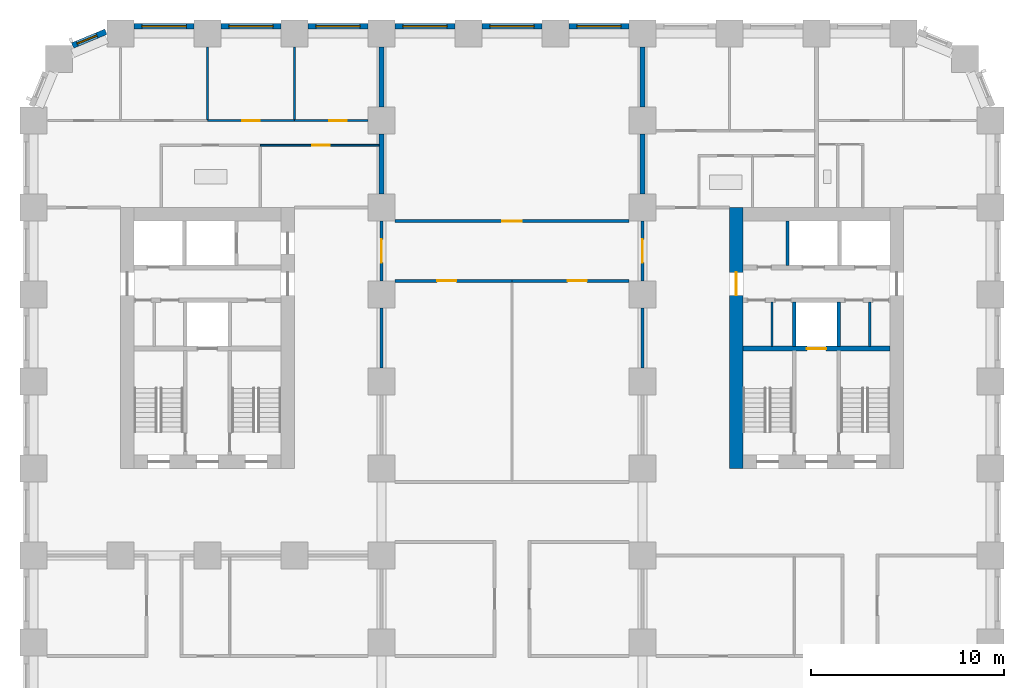
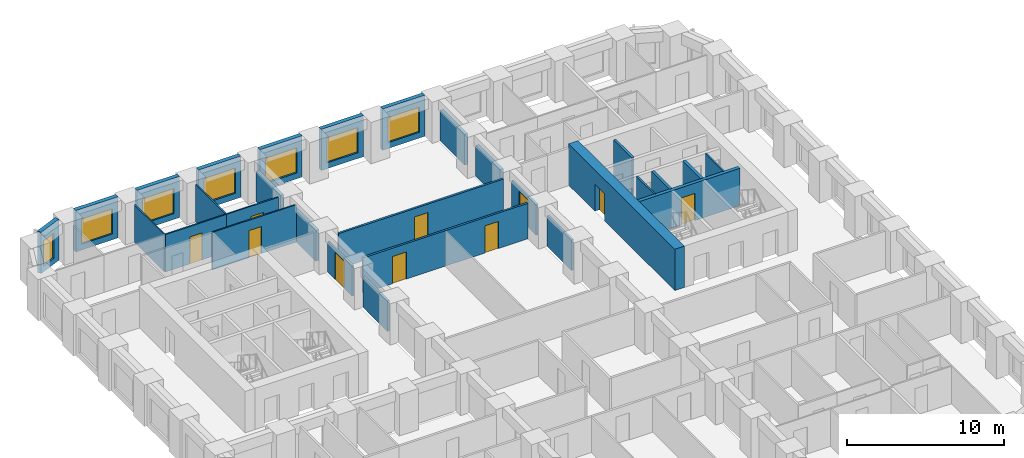
# One storey, part 7 of 12: 30 walls, 10 doors, 7 windows, 17 openings.
"""IFC4 building model written with IfcOpenShell, lengths in metres."""

from ifc_helpers import new_model, si_unit, direction, frame, frame_2d, origin, place, context, subcontext, project, spatial, rectangle, extrude, material, layer, layer_set, type_object, element, fill, save


model = new_model("IFC4")

# Units and contexts
model_context = context("Model", 3, precision=1e-05, world=origin(), true_north=direction((0.0, 1.0)))
body_context = subcontext(model_context, "Body", "Model", "MODEL_VIEW")
ifc_project = project(units=[si_unit("LENGTHUNIT", "METRE"), si_unit("AREAUNIT", "SQUARE_METRE"), si_unit("VOLUMEUNIT", "CUBIC_METRE"), si_unit("PLANEANGLEUNIT", "RADIAN"), si_unit("MASSUNIT", "GRAM", prefix="KILO")], contexts=[model_context])

# Site, building, storey
site_placement = place(None, origin())
site = spatial("IfcSite", under=ifc_project, at=site_placement, CompositionType="ELEMENT")
building_placement = place(site_placement, origin())
building = spatial("IfcBuilding", under=site, at=building_placement, Name="Girih Gate Residences", CompositionType="ELEMENT")
storey_placement = place(building_placement, frame((0.0, 0.0, 30.39990234375)))
storey = spatial("IfcBuildingStorey", under=building, at=storey_placement, Name="L06", CompositionType="ELEMENT", Elevation=30.39990234375)

# Walls
ifc_material_1 = material(Name="Gypsum board on steel studs", Category="steel")
ifc_layer_1 = layer(ifc_material_1, 0.25)
ifc_layer_set_1 = layer_set([ifc_layer_1], Name="Acoustic separating wall 250 mm")
wall_type_1 = type_object("IfcWallType", Name="Acoustic separating wall 250 mm", PredefinedType="PARTITIONING", material=ifc_layer_set_1)
for number, where, z_axis, x_axis, name in (
    (1, (18.0, 45.699951171875, 0.0), (0.0, 0.0, 1.0), (0.0, 1.0, 0.0), "L06 partition"),
    (2, (18.0, 41.199951171875, 0.0), (0.0, 0.0, 1.0), (0.0, 1.0, 0.0), "L06 partition"),
    (3, (31.5, 41.199951171875, 0.0), (0.0, 0.0, 1.0), (0.0, 1.0, 0.0), "L06 partition"),
    (4, (31.5, 45.699951171875, 0.0), (0.0, 0.0, 1.0), (0.0, 1.0, 0.0), "L06 partition"),
):
    element("IfcWall", number, at=place(storey_placement, frame(where, z_axis=z_axis, x_axis=x_axis)), inside=storey, type_object=wall_type_1, Name=name, PredefinedType="PARTITIONING", context=body_context, shape_type="SweptSolid", body=[
        extrude(rectangle(XDim=3.10009765625, YDim=0.25, at=frame_2d((1.550048828125, 0.0))), origin(), (0.0, 0.0, 1.0), 2.380126953125),
    ])

# Wall, opening, door
ifc_layer_2 = layer(ifc_material_1, 0.14990234375)
ifc_layer_set_2 = layer_set([ifc_layer_2], Name="Compartment wall 150 mm")
wall_type_2 = type_object("IfcWallType", Name="Compartment wall 150 mm", PredefinedType="PARTITIONING", material=ifc_layer_set_2)
wall_1_placement = place(storey_placement, frame((18.699951171875, 39.800048828125, 0.0), z_axis=(0.0, 0.0, 1.0), x_axis=(1.0, 0.0, 0.0)))
wall_1 = element("IfcWall", 5, at=wall_1_placement, inside=storey, type_object=wall_type_2, Name="L06 partition", PredefinedType="PARTITIONING", context=body_context, shape_type="SweptSolid", body=[
    extrude(rectangle(XDim=12.10009765625, YDim=0.14990234375, at=frame_2d((6.050048828125, 0.0))), origin(), (0.0, 0.0, 1.0), 2.75),
])
opening_1_placement = place(wall_1_placement, frame((5.550048828125, 0.0, 0.0)))
opening_1 = element("IfcOpeningElement", 6, at=opening_1_placement, cuts=wall_1, Name="Opening A06-035", PredefinedType="OPENING", context=body_context, shape_type="SweptSolid", body=[
    extrude(rectangle(XDim=1.0, YDim=2.10009765625, at=frame_2d((0.5, 1.050048828125))), frame((0.0, 0.0849609375, 0.0), z_axis=(0.0, -1.0, 0.0), x_axis=(1.0, 0.0, 0.0)), (0.0, 0.0, 1.0), 0.169921875),
])
ifc_material_2 = material(Name="Timber, fire-rated core", Category="wood")
door_type_1 = type_object("IfcDoorType", Name="Amenity room door 1000x2100 FD30S", OperationType="NOTDEFINED", PredefinedType="DOOR", material=ifc_material_2)
door_1_placement = place(opening_1_placement, origin())
door_1 = element("IfcDoor", 7, at=door_1_placement, inside=storey, type_object=door_type_1, Name="Door A06-035", OperationType="SINGLE_SWING_RIGHT", OverallHeight=2.10009765625, OverallWidth=1.0, PredefinedType="DOOR", context=body_context, shape_type="SweptSolid", body=[
    extrude(rectangle(XDim=1.0, YDim=2.10009765625, at=frame_2d((0.5, 1.050048828125))), frame((0.0, 0.02490234375, 0.0), z_axis=(0.0, -1.0, 0.0), x_axis=(1.0, 0.0, 0.0)), (0.0, 0.0, 1.0), 0.050048828125),
])
fill(opening_1, door_1)

wall_2_placement = place(storey_placement, frame((24.75, 36.699951171875, 0.0), z_axis=(0.0, 0.0, 1.0), x_axis=(-1.0, 0.0, 0.0)))
wall_2 = element("IfcWall", 8, at=wall_2_placement, inside=storey, type_object=wall_type_2, Name="L06 partition", PredefinedType="PARTITIONING", context=body_context, shape_type="SweptSolid", body=[
    extrude(rectangle(XDim=6.050048828125, YDim=0.14990234375, at=frame_2d((3.02490234375, 0.0))), origin(), (0.0, 0.0, 1.0), 2.75),
])
opening_2_placement = place(wall_2_placement, frame((2.875, 0.0, 0.0)))
opening_2 = element("IfcOpeningElement", 9, at=opening_2_placement, cuts=wall_2, Name="Opening A06-036", PredefinedType="OPENING", context=body_context, shape_type="SweptSolid", body=[
    extrude(rectangle(XDim=1.0, YDim=2.10009765625, at=frame_2d((0.5, 1.050048828125))), frame((0.0, 0.0849609375, 0.0), z_axis=(0.0, -1.0, 0.0), x_axis=(1.0, 0.0, 0.0)), (0.0, 0.0, 1.0), 0.169921875),
])
door_2_placement = place(opening_2_placement, origin())
door_2 = element("IfcDoor", 10, at=door_2_placement, inside=storey, type_object=door_type_1, Name="Door A06-036", OperationType="SINGLE_SWING_RIGHT", OverallHeight=2.10009765625, OverallWidth=1.0, PredefinedType="DOOR", context=body_context, shape_type="SweptSolid", body=[
    extrude(rectangle(XDim=1.0, YDim=2.10009765625, at=frame_2d((0.5, 1.050048828125))), frame((0.0, 0.02490234375, 0.0), z_axis=(0.0, -1.0, 0.0), x_axis=(1.0, 0.0, 0.0)), (0.0, 0.0, 1.0), 0.050048828125),
])
fill(opening_2, door_2)

wall_3_placement = place(storey_placement, frame((30.800048828125, 36.699951171875, 0.0), z_axis=(0.0, 0.0, 1.0), x_axis=(-1.0, 0.0, 0.0)))
wall_3 = element("IfcWall", 11, at=wall_3_placement, inside=storey, type_object=wall_type_2, Name="L06 partition", PredefinedType="PARTITIONING", context=body_context, shape_type="SweptSolid", body=[
    extrude(rectangle(XDim=6.050048828125, YDim=0.14990234375, at=frame_2d((3.02490234375, 0.0))), origin(), (0.0, 0.0, 1.0), 2.75),
])
opening_3_placement = place(wall_3_placement, frame((2.175048828125, 0.0, 0.0)))
opening_3 = element("IfcOpeningElement", 12, at=opening_3_placement, cuts=wall_3, Name="Opening A06-037", PredefinedType="OPENING", context=body_context, shape_type="SweptSolid", body=[
    extrude(rectangle(XDim=1.0, YDim=2.10009765625, at=frame_2d((0.5, 1.050048828125))), frame((0.0, 0.0849609375, 0.0), z_axis=(0.0, -1.0, 0.0), x_axis=(1.0, 0.0, 0.0)), (0.0, 0.0, 1.0), 0.169921875),
])
door_3_placement = place(opening_3_placement, origin())
door_3 = element("IfcDoor", 13, at=door_3_placement, inside=storey, type_object=door_type_1, Name="Door A06-037", OperationType="SINGLE_SWING_LEFT", OverallHeight=2.10009765625, OverallWidth=1.0, PredefinedType="DOOR", context=body_context, shape_type="SweptSolid", body=[
    extrude(rectangle(XDim=1.0, YDim=2.10009765625, at=frame_2d((0.5, 1.050048828125))), frame((0.0, 0.02490234375, 0.0), z_axis=(0.0, -1.0, 0.0), x_axis=(1.0, 0.0, 0.0)), (0.0, 0.0, 1.0), 0.050048828125),
])
fill(opening_3, door_3)

wall_4_placement = place(storey_placement, frame((31.5, 36.699951171875, 0.0), z_axis=(0.0, 0.0, 1.0), x_axis=(0.0, 1.0, 0.0)))
wall_4 = element("IfcWall", 14, at=wall_4_placement, inside=storey, type_object=wall_type_2, Name="L06 partition", PredefinedType="PARTITIONING", context=body_context, shape_type="SweptSolid", body=[
    extrude(rectangle(XDim=3.10009765625, YDim=0.14990234375, at=frame_2d((1.550048828125, 0.0))), origin(), (0.0, 0.0, 1.0), 2.380126953125),
])
opening_4_placement = place(wall_4_placement, frame((0.949951171875, 0.0, 0.0)))
opening_4 = element("IfcOpeningElement", 15, at=opening_4_placement, cuts=wall_4, Name="Opening A06-038", PredefinedType="OPENING", context=body_context, shape_type="SweptSolid", body=[
    extrude(rectangle(XDim=1.199951171875, YDim=2.10009765625, at=frame_2d((0.60009765625, 1.050048828125))), frame((0.0, 0.0849609375, 0.0), z_axis=(0.0, -1.0, 0.0), x_axis=(1.0, 0.0, 0.0)), (0.0, 0.0, 1.0), 0.169921875),
])
door_type_2 = type_object("IfcDoorType", Name="Corridor fire door 1200x2100 FD30S", OperationType="NOTDEFINED", PredefinedType="DOOR", material=ifc_material_2)
door_4_placement = place(opening_4_placement, origin())
door_4 = element("IfcDoor", 16, at=door_4_placement, inside=storey, type_object=door_type_2, Name="Door A06-038", OperationType="SINGLE_SWING_LEFT", OverallHeight=2.10009765625, OverallWidth=1.199951171875, PredefinedType="DOOR", context=body_context, shape_type="SweptSolid", body=[
    extrude(rectangle(XDim=1.199951171875, YDim=2.10009765625, at=frame_2d((0.60009765625, 1.050048828125))), frame((0.0, 0.02490234375, 0.0), z_axis=(0.0, -1.0, 0.0), x_axis=(1.0, 0.0, 0.0)), (0.0, 0.0, 1.0), 0.050048828125),
])
fill(opening_4, door_4)

wall_5_placement = place(storey_placement, frame((18.0, 39.800048828125, 0.0), z_axis=(0.0, 0.0, 1.0), x_axis=(0.0, -1.0, 0.0)))
wall_5 = element("IfcWall", 17, at=wall_5_placement, inside=storey, type_object=wall_type_2, Name="L06 partition", PredefinedType="PARTITIONING", context=body_context, shape_type="SweptSolid", body=[
    extrude(rectangle(XDim=3.10009765625, YDim=0.14990234375, at=frame_2d((1.550048828125, 0.0))), origin(), (0.0, 0.0, 1.0), 2.380126953125),
])
opening_5_placement = place(wall_5_placement, frame((0.949951171875, 0.0, 0.0)))
opening_5 = element("IfcOpeningElement", 18, at=opening_5_placement, cuts=wall_5, Name="Opening A06-039", PredefinedType="OPENING", context=body_context, shape_type="SweptSolid", body=[
    extrude(rectangle(XDim=1.199951171875, YDim=2.10009765625, at=frame_2d((0.60009765625, 1.050048828125))), frame((0.0, 0.0849609375, 0.0), z_axis=(0.0, -1.0, 0.0), x_axis=(1.0, 0.0, 0.0)), (0.0, 0.0, 1.0), 0.169921875),
])
door_5_placement = place(opening_5_placement, origin())
door_5 = element("IfcDoor", 19, at=door_5_placement, inside=storey, type_object=door_type_2, Name="Door A06-039", OperationType="SINGLE_SWING_LEFT", OverallHeight=2.10009765625, OverallWidth=1.199951171875, PredefinedType="DOOR", context=body_context, shape_type="SweptSolid", body=[
    extrude(rectangle(XDim=1.199951171875, YDim=2.10009765625, at=frame_2d((0.60009765625, 1.050048828125))), frame((0.0, 0.02490234375, 0.0), z_axis=(0.0, -1.0, 0.0), x_axis=(1.0, 0.0, 0.0)), (0.0, 0.0, 1.0), 0.050048828125),
])
fill(opening_5, door_5)

# Walls
for number, where, z_axis, x_axis, name in (
    (20, (18.0, 32.199951171875, 0.0), (0.0, 0.0, 1.0), (0.0, 1.0, 0.0), "L06 partition"),
    (21, (31.5, 32.199951171875, 0.0), (0.0, 0.0, 1.0), (0.0, 1.0, 0.0), "L06 partition"),
):
    element("IfcWall", number, at=place(storey_placement, frame(where, z_axis=z_axis, x_axis=x_axis)), inside=storey, type_object=wall_type_2, Name=name, PredefinedType="PARTITIONING", context=body_context, shape_type="SweptSolid", body=[
        extrude(rectangle(XDim=3.10009765625, YDim=0.14990234375, at=frame_2d((1.550048828125, 0.0))), origin(), (0.0, 0.0, 1.0), 2.380126953125),
    ])

# Wall, opening, door
ifc_material_3 = material(Name="Concrete C60/75", Category="concrete")
ifc_layer_3 = layer(ifc_material_3, 0.699951171875)
ifc_layer_set_3 = layer_set([ifc_layer_3], Name="Core wall RC 700 Concrete C60/75")
wall_type_3 = type_object("IfcWallType", Name="Core wall RC 700 Concrete C60/75", PredefinedType="SOLIDWALL", material=ifc_layer_set_3)
wall_6_placement = place(storey_placement, frame((36.35009765625, 27.0, 0.0), z_axis=(0.0, 0.0, 1.0), x_axis=(0.0, 1.0, 0.0)))
wall_6 = element("IfcWall", 22, at=wall_6_placement, inside=storey, type_object=wall_type_3, Name="Core wall E-W L06", PredefinedType="SOLIDWALL", context=body_context, shape_type="SweptSolid", body=[
    extrude(rectangle(XDim=13.5, YDim=0.699951171875, at=frame_2d((6.75, 0.0))), origin(), (0.0, 0.0, 1.0), 3.2001953125),
])
opening_6_placement = place(wall_6_placement, frame((8.949951171875, 0.0, 0.0)))
opening_6 = element("IfcOpeningElement", 23, at=opening_6_placement, cuts=wall_6, Name="Opening D-L06-E-014", PredefinedType="OPENING", context=body_context, shape_type="SweptSolid", body=[
    extrude(rectangle(XDim=1.199951171875, YDim=2.10009765625, at=frame_2d((0.60009765625, 1.050048828125))), frame((0.0, 0.35986328125, 0.0), z_axis=(0.0, -1.0, 0.0), x_axis=(1.0, 0.0, 0.0)), (0.0, 0.0, 1.0), 0.719970703125),
])
ifc_material_4 = material(Name="Painted steel, fire-resisting", Category="steel")
door_type_3 = type_object("IfcDoorType", Name="Fire door 1200x2100", OperationType="SINGLE_SWING_LEFT", PredefinedType="DOOR", material=ifc_material_4)
door_6_placement = place(opening_6_placement, origin())
door_6 = element("IfcDoor", 24, at=door_6_placement, inside=storey, type_object=door_type_3, Name="L06 E core door ll-w", OperationType="SINGLE_SWING_LEFT", OverallHeight=2.10009765625, OverallWidth=1.199951171875, PredefinedType="DOOR", context=body_context, shape_type="SweptSolid", body=[
    extrude(rectangle(XDim=1.199951171875, YDim=2.10009765625, at=frame_2d((0.60009765625, 1.050048828125))), frame((0.0, 0.02490234375, 0.0), z_axis=(0.0, -1.0, 0.0), x_axis=(1.0, 0.0, 0.0)), (0.0, 0.0, 1.0), 0.050048828125),
])
fill(opening_6, door_6)

ifc_material_5 = material(Name="Concrete C40/50", Category="concrete")
ifc_layer_4 = layer(ifc_material_5, 0.25)
ifc_layer_set_4 = layer_set([ifc_layer_4], Name="Lift shaft wall 250")
wall_type_4 = type_object("IfcWallType", Name="Lift shaft wall 250", PredefinedType="SOLIDWALL", material=ifc_layer_set_4)
wall_7_placement = place(storey_placement, frame((36.699951171875, 33.199951171875, 0.0), z_axis=(0.0, 0.0, 1.0), x_axis=(1.0, 0.0, 0.0)))
wall_7 = element("IfcWall", 25, at=wall_7_placement, inside=storey, type_object=wall_type_4, Name="L06 E core wall H1", PredefinedType="SOLIDWALL", context=body_context, shape_type="SweptSolid", body=[
    extrude(rectangle(XDim=7.60009765625, YDim=0.25, at=frame_2d((3.800048828125, 0.0))), origin(), (0.0, 0.0, 1.0), 2.900146484375),
])
opening_7_placement = place(wall_7_placement, frame((3.300048828125, 0.0, 0.0)))
opening_7 = element("IfcOpeningElement", 26, at=opening_7_placement, cuts=wall_7, Name="Opening D-L06-E-005", PredefinedType="OPENING", context=body_context, shape_type="SweptSolid", body=[
    extrude(rectangle(XDim=1.0, YDim=2.10009765625, at=frame_2d((0.5, 1.050048828125))), frame((0.0, 0.135009765625, 0.0), z_axis=(0.0, -1.0, 0.0), x_axis=(1.0, 0.0, 0.0)), (0.0, 0.0, 1.0), 0.27001953125),
])
ifc_material_6 = material(Name="Stainless steel, fire-resisting", Category="steel")
door_type_4 = type_object("IfcDoorType", Name="Firefighting lift landing door 1000x2100", OperationType="SLIDING_TO_LEFT", PredefinedType="DOOR", material=ifc_material_6)
door_7_placement = place(opening_7_placement, origin())
door_7 = element("IfcDoor", 27, at=door_7_placement, inside=storey, type_object=door_type_4, Name="L06 lift FF-E landing door", OperationType="SLIDING_TO_LEFT", OverallHeight=2.10009765625, OverallWidth=1.0, PredefinedType="DOOR", context=body_context, shape_type="SweptSolid", body=[
    extrude(rectangle(XDim=1.0, YDim=2.10009765625, at=frame_2d((0.5, 1.050048828125))), frame((0.0, 0.02490234375, 0.0), z_axis=(0.0, -1.0, 0.0), x_axis=(1.0, 0.0, 0.0)), (0.0, 0.0, 1.0), 0.050048828125),
])
fill(opening_7, door_7)

# Walls
ifc_layer_5 = layer(ifc_material_1, 0.10009765625)
ifc_layer_set_5 = layer_set([ifc_layer_5], Name="Partition 100 mm")
wall_type_5 = type_object("IfcWallType", Name="Partition 100 mm", PredefinedType="PARTITIONING", material=ifc_layer_set_5)
for number, where, z_axis, x_axis, name in (
    (28, (9.0, 45.050048828125, 0.0), (0.0, 0.0, 1.0), (0.0, 1.0, 0.0), "L06 partition"),
    (29, (13.5, 45.050048828125, 0.0), (0.0, 0.0, 1.0), (0.0, 1.0, 0.0), "L06 partition"),
):
    element("IfcWall", number, at=place(storey_placement, frame(where, z_axis=z_axis, x_axis=x_axis)), inside=storey, type_object=wall_type_5, Name=name, PredefinedType="PARTITIONING", context=body_context, shape_type="SweptSolid", body=[
        extrude(rectangle(XDim=3.75, YDim=0.10009765625, at=frame_2d((1.875, 0.0))), origin(), (0.0, 0.0, 1.0), 2.900146484375),
    ])

# Wall, opening, door
wall_8_placement = place(storey_placement, frame((9.0, 45.0, 0.0), z_axis=(0.0, 0.0, 1.0), x_axis=(1.0, 0.0, 0.0)))
wall_8 = element("IfcWall", 30, at=wall_8_placement, inside=storey, type_object=wall_type_5, Name="L06 partition", PredefinedType="PARTITIONING", context=body_context, shape_type="SweptSolid", body=[
    extrude(rectangle(XDim=4.5, YDim=0.10009765625, at=frame_2d((2.25, 0.0))), origin(), (0.0, 0.0, 1.0), 2.900146484375),
])
opening_8_placement = place(wall_8_placement, frame((1.800048828125, 0.0, 0.0)))
opening_8 = element("IfcOpeningElement", 31, at=opening_8_placement, cuts=wall_8, Name="Opening A06-010", PredefinedType="OPENING", context=body_context, shape_type="SweptSolid", body=[
    extrude(rectangle(XDim=0.89990234375, YDim=2.10009765625, at=frame_2d((0.449951171875, 1.050048828125))), frame((0.0, 0.06005859375, 0.0), z_axis=(0.0, -1.0, 0.0), x_axis=(1.0, 0.0, 0.0)), (0.0, 0.0, 1.0), 0.1201171875),
])
ifc_material_7 = material(Name="Timber", Category="wood")
door_type_5 = type_object("IfcDoorType", Name="Bedroom door 900x2100", OperationType="NOTDEFINED", PredefinedType="DOOR", material=ifc_material_7)
door_8_placement = place(opening_8_placement, origin())
door_8 = element("IfcDoor", 32, at=door_8_placement, inside=storey, type_object=door_type_5, Name="Door A06-010", OperationType="SINGLE_SWING_LEFT", OverallHeight=2.10009765625, OverallWidth=0.89990234375, PredefinedType="DOOR", context=body_context, shape_type="SweptSolid", body=[
    extrude(rectangle(XDim=0.89990234375, YDim=2.10009765625, at=frame_2d((0.449951171875, 1.050048828125))), frame((0.0, 0.02490234375, 0.0), z_axis=(0.0, -1.0, 0.0), x_axis=(1.0, 0.0, 0.0)), (0.0, 0.0, 1.0), 0.050048828125),
])
fill(opening_8, door_8)

wall_9_placement = place(storey_placement, frame((13.5, 45.0, 0.0), z_axis=(0.0, 0.0, 1.0), x_axis=(1.0, 0.0, 0.0)))
wall_9 = element("IfcWall", 33, at=wall_9_placement, inside=storey, type_object=wall_type_5, Name="L06 partition", PredefinedType="PARTITIONING", context=body_context, shape_type="SweptSolid", body=[
    extrude(rectangle(XDim=3.800048828125, YDim=0.10009765625, at=frame_2d((1.89990234375, 0.0))), origin(), (0.0, 0.0, 1.0), 2.900146484375),
])
opening_9_placement = place(wall_9_placement, frame((1.800048828125, 0.0, 0.0)))
opening_9 = element("IfcOpeningElement", 34, at=opening_9_placement, cuts=wall_9, Name="Opening A06-011", PredefinedType="OPENING", context=body_context, shape_type="SweptSolid", body=[
    extrude(rectangle(XDim=0.89990234375, YDim=2.10009765625, at=frame_2d((0.449951171875, 1.050048828125))), frame((0.0, 0.06005859375, 0.0), z_axis=(0.0, -1.0, 0.0), x_axis=(1.0, 0.0, 0.0)), (0.0, 0.0, 1.0), 0.1201171875),
])
door_9_placement = place(opening_9_placement, origin())
door_9 = element("IfcDoor", 35, at=door_9_placement, inside=storey, type_object=door_type_5, Name="Door A06-011", OperationType="SINGLE_SWING_RIGHT", OverallHeight=2.10009765625, OverallWidth=0.89990234375, PredefinedType="DOOR", context=body_context, shape_type="SweptSolid", body=[
    extrude(rectangle(XDim=0.89990234375, YDim=2.10009765625, at=frame_2d((0.449951171875, 1.050048828125))), frame((0.0, 0.02490234375, 0.0), z_axis=(0.0, -1.0, 0.0), x_axis=(1.0, 0.0, 0.0)), (0.0, 0.0, 1.0), 0.050048828125),
])
fill(opening_9, door_9)

wall_10_placement = place(storey_placement, frame((17.875, 43.719970703125, 0.0), z_axis=(0.0, 0.0, 1.0), x_axis=(-1.0, 0.0, 0.0)))
wall_10 = element("IfcWall", 36, at=wall_10_placement, inside=storey, type_object=wall_type_5, Name="L06 partition", PredefinedType="PARTITIONING", context=body_context, shape_type="SweptSolid", body=[
    extrude(rectangle(XDim=6.14697265625, YDim=0.10009765625, at=frame_2d((3.073486328125, 0.0))), origin(), (0.0, 0.0, 1.0), 2.900146484375),
])
opening_10_placement = place(wall_10_placement, frame((2.56103515625, 0.0, 0.0)))
opening_10 = element("IfcOpeningElement", 37, at=opening_10_placement, cuts=wall_10, Name="Opening A06-012", PredefinedType="OPENING", context=body_context, shape_type="SweptSolid", body=[
    extrude(rectangle(XDim=0.89990234375, YDim=2.10009765625, at=frame_2d((0.449951171875, 1.050048828125))), frame((0.0, 0.06005859375, 0.0), z_axis=(0.0, -1.0, 0.0), x_axis=(1.0, 0.0, 0.0)), (0.0, 0.0, 1.0), 0.1201171875),
])
door_type_6 = type_object("IfcDoorType", Name="Kitchen door 900x2100", OperationType="NOTDEFINED", PredefinedType="DOOR", material=ifc_material_7)
door_10_placement = place(opening_10_placement, origin())
door_10 = element("IfcDoor", 38, at=door_10_placement, inside=storey, type_object=door_type_6, Name="Door A06-012", OperationType="SINGLE_SWING_LEFT", OverallHeight=2.10009765625, OverallWidth=0.89990234375, PredefinedType="DOOR", context=body_context, shape_type="SweptSolid", body=[
    extrude(rectangle(XDim=0.89990234375, YDim=2.10009765625, at=frame_2d((0.449951171875, 1.050048828125))), frame((0.0, 0.02490234375, 0.0), z_axis=(0.0, -1.0, 0.0), x_axis=(1.0, 0.0, 0.0)), (0.0, 0.0, 1.0), 0.050048828125),
])
fill(opening_10, door_10)

# Wall, opening, window
ifc_material_8 = material(Name="Precast concrete C50/60", Category="concrete")
ifc_layer_6 = layer(ifc_material_8, 0.080078125, Name="Outer leaf")
ifc_material_9 = material(Name="Rigid PIR insulation")
ifc_layer_7 = layer(ifc_material_9, 0.14990234375, Name="Insulation")
ifc_material_10 = material(Name="Precast concrete C40/50", Category="concrete")
ifc_layer_8 = layer(ifc_material_10, 0.070068359375, Name="Inner leaf")
ifc_layer_set_6 = layer_set([ifc_layer_6, ifc_layer_7, ifc_layer_8], Name="Precast concrete C50/60 external wall 300")
wall_type_6 = type_object("IfcWallType", Name="Precast concrete C50/60 external wall 300", PredefinedType="SOLIDWALL", material=ifc_layer_set_6)
wall_11_placement = place(storey_placement, frame((27.699951171875, 49.875, 0.0), z_axis=(0.0, 0.0, 1.0), x_axis=(1.0, 0.0, 0.0)))
wall_11 = element("IfcWall", 39, at=wall_11_placement, inside=storey, type_object=wall_type_6, Name="External wall N0450_0495.3", PredefinedType="SOLIDWALL", context=body_context, shape_type="SweptSolid", body=[
    extrude(rectangle(XDim=3.10009765625, YDim=0.300048828125, at=frame_2d((1.550048828125, 0.0))), origin(), (0.0, 0.0, 1.0), 3.2001953125),
])
opening_11_placement = place(wall_11_placement, frame((0.39990234375, 0.0, 0.449951171875)))
opening_11 = element("IfcOpeningElement", 40, at=opening_11_placement, cuts=wall_11, Name="Opening W-1", PredefinedType="OPENING", context=body_context, shape_type="SweptSolid", body=[
    extrude(rectangle(XDim=2.300048828125, YDim=1.949951171875, at=frame_2d((1.14990234375, 0.97509765625))), frame((0.0, 0.159912109375, 0.0), z_axis=(0.0, -1.0, 0.0), x_axis=(1.0, 0.0, 0.0)), (0.0, 0.0, 1.0), 0.320068359375),
])
ifc_material_11 = material(Name="Double glazing in aluminium frame", Category="aluminium")
window_type_1 = type_object("IfcWindowType", Name="Window W-1 2300x1950", PartitioningType="SINGLE_PANEL", PredefinedType="WINDOW", material=ifc_material_11)
window_1_placement = place(opening_11_placement, origin())
window_1 = element("IfcWindow", 41, at=window_1_placement, inside=storey, type_object=window_type_1, Name="Window W-1 N0450_0495.3", OverallHeight=1.949951171875, OverallWidth=2.300048828125, PartitioningType="SINGLE_PANEL", PredefinedType="WINDOW", context=body_context, shape_type="SweptSolid", body=[
    extrude(rectangle(XDim=2.300048828125, YDim=1.949951171875, at=frame_2d((1.14990234375, 0.97509765625))), frame((0.0, 0.030029296875, 0.0), z_axis=(0.0, -1.0, 0.0), x_axis=(1.0, 0.0, 0.0)), (0.0, 0.0, 1.0), 0.06005859375),
])
fill(opening_11, window_1)

wall_12_placement = place(storey_placement, frame((23.199951171875, 49.875, 0.0), z_axis=(0.0, 0.0, 1.0), x_axis=(1.0, 0.0, 0.0)))
wall_12 = element("IfcWall", 42, at=wall_12_placement, inside=storey, type_object=wall_type_6, Name="External wall N0450_0495.4", PredefinedType="SOLIDWALL", context=body_context, shape_type="SweptSolid", body=[
    extrude(rectangle(XDim=3.10009765625, YDim=0.300048828125, at=frame_2d((1.550048828125, 0.0))), origin(), (0.0, 0.0, 1.0), 3.2001953125),
])
opening_12_placement = place(wall_12_placement, frame((0.39990234375, 0.0, 0.449951171875)))
opening_12 = element("IfcOpeningElement", 43, at=opening_12_placement, cuts=wall_12, Name="Opening W-1", PredefinedType="OPENING", context=body_context, shape_type="SweptSolid", body=[
    extrude(rectangle(XDim=2.300048828125, YDim=1.949951171875, at=frame_2d((1.14990234375, 0.97509765625))), frame((0.0, 0.159912109375, 0.0), z_axis=(0.0, -1.0, 0.0), x_axis=(1.0, 0.0, 0.0)), (0.0, 0.0, 1.0), 0.320068359375),
])
window_2_placement = place(opening_12_placement, origin())
window_2 = element("IfcWindow", 44, at=window_2_placement, inside=storey, type_object=window_type_1, Name="Window W-1 N0450_0495.4", OverallHeight=1.949951171875, OverallWidth=2.300048828125, PartitioningType="SINGLE_PANEL", PredefinedType="WINDOW", context=body_context, shape_type="SweptSolid", body=[
    extrude(rectangle(XDim=2.300048828125, YDim=1.949951171875, at=frame_2d((1.14990234375, 0.97509765625))), frame((0.0, 0.030029296875, 0.0), z_axis=(0.0, -1.0, 0.0), x_axis=(1.0, 0.0, 0.0)), (0.0, 0.0, 1.0), 0.06005859375),
])
fill(opening_12, window_2)

wall_13_placement = place(storey_placement, frame((18.699951171875, 49.875, 0.0), z_axis=(0.0, 0.0, 1.0), x_axis=(1.0, 0.0, 0.0)))
wall_13 = element("IfcWall", 45, at=wall_13_placement, inside=storey, type_object=wall_type_6, Name="External wall N0450_0495.5", PredefinedType="SOLIDWALL", context=body_context, shape_type="SweptSolid", body=[
    extrude(rectangle(XDim=3.10009765625, YDim=0.300048828125, at=frame_2d((1.550048828125, 0.0))), origin(), (0.0, 0.0, 1.0), 3.2001953125),
])
opening_13_placement = place(wall_13_placement, frame((0.39990234375, 0.0, 0.449951171875)))
opening_13 = element("IfcOpeningElement", 46, at=opening_13_placement, cuts=wall_13, Name="Opening W-1", PredefinedType="OPENING", context=body_context, shape_type="SweptSolid", body=[
    extrude(rectangle(XDim=2.300048828125, YDim=1.949951171875, at=frame_2d((1.14990234375, 0.97509765625))), frame((0.0, 0.159912109375, 0.0), z_axis=(0.0, -1.0, 0.0), x_axis=(1.0, 0.0, 0.0)), (0.0, 0.0, 1.0), 0.320068359375),
])
window_3_placement = place(opening_13_placement, origin())
window_3 = element("IfcWindow", 47, at=window_3_placement, inside=storey, type_object=window_type_1, Name="Window W-1 N0450_0495.5", OverallHeight=1.949951171875, OverallWidth=2.300048828125, PartitioningType="SINGLE_PANEL", PredefinedType="WINDOW", context=body_context, shape_type="SweptSolid", body=[
    extrude(rectangle(XDim=2.300048828125, YDim=1.949951171875, at=frame_2d((1.14990234375, 0.97509765625))), frame((0.0, 0.030029296875, 0.0), z_axis=(0.0, -1.0, 0.0), x_axis=(1.0, 0.0, 0.0)), (0.0, 0.0, 1.0), 0.06005859375),
])
fill(opening_13, window_3)

wall_14_placement = place(storey_placement, frame((14.199951171875, 49.875, 0.0), z_axis=(0.0, 0.0, 1.0), x_axis=(1.0, 0.0, 0.0)))
wall_14 = element("IfcWall", 48, at=wall_14_placement, inside=storey, type_object=wall_type_6, Name="External wall N0450_0495.6", PredefinedType="SOLIDWALL", context=body_context, shape_type="SweptSolid", body=[
    extrude(rectangle(XDim=3.10009765625, YDim=0.300048828125, at=frame_2d((1.550048828125, 0.0))), origin(), (0.0, 0.0, 1.0), 3.2001953125),
])
opening_14_placement = place(wall_14_placement, frame((0.39990234375, 0.0, 0.449951171875)))
opening_14 = element("IfcOpeningElement", 49, at=opening_14_placement, cuts=wall_14, Name="Opening W-1", PredefinedType="OPENING", context=body_context, shape_type="SweptSolid", body=[
    extrude(rectangle(XDim=2.300048828125, YDim=1.949951171875, at=frame_2d((1.14990234375, 0.97509765625))), frame((0.0, 0.159912109375, 0.0), z_axis=(0.0, -1.0, 0.0), x_axis=(1.0, 0.0, 0.0)), (0.0, 0.0, 1.0), 0.320068359375),
])
window_4_placement = place(opening_14_placement, origin())
window_4 = element("IfcWindow", 50, at=window_4_placement, inside=storey, type_object=window_type_1, Name="Window W-1 N0450_0495.6", OverallHeight=1.949951171875, OverallWidth=2.300048828125, PartitioningType="SINGLE_PANEL", PredefinedType="WINDOW", context=body_context, shape_type="SweptSolid", body=[
    extrude(rectangle(XDim=2.300048828125, YDim=1.949951171875, at=frame_2d((1.14990234375, 0.97509765625))), frame((0.0, 0.030029296875, 0.0), z_axis=(0.0, -1.0, 0.0), x_axis=(1.0, 0.0, 0.0)), (0.0, 0.0, 1.0), 0.06005859375),
])
fill(opening_14, window_4)

wall_15_placement = place(storey_placement, frame((9.699951171875, 49.875, 0.0), z_axis=(0.0, 0.0, 1.0), x_axis=(1.0, 0.0, 0.0)))
wall_15 = element("IfcWall", 51, at=wall_15_placement, inside=storey, type_object=wall_type_6, Name="External wall N0450_0495.7", PredefinedType="SOLIDWALL", context=body_context, shape_type="SweptSolid", body=[
    extrude(rectangle(XDim=3.10009765625, YDim=0.300048828125, at=frame_2d((1.550048828125, 0.0))), origin(), (0.0, 0.0, 1.0), 3.2001953125),
])
opening_15_placement = place(wall_15_placement, frame((0.39990234375, 0.0, 0.449951171875)))
opening_15 = element("IfcOpeningElement", 52, at=opening_15_placement, cuts=wall_15, Name="Opening W-1", PredefinedType="OPENING", context=body_context, shape_type="SweptSolid", body=[
    extrude(rectangle(XDim=2.300048828125, YDim=1.949951171875, at=frame_2d((1.14990234375, 0.97509765625))), frame((0.0, 0.159912109375, 0.0), z_axis=(0.0, -1.0, 0.0), x_axis=(1.0, 0.0, 0.0)), (0.0, 0.0, 1.0), 0.320068359375),
])
window_5_placement = place(opening_15_placement, origin())
window_5 = element("IfcWindow", 53, at=window_5_placement, inside=storey, type_object=window_type_1, Name="Window W-1 N0450_0495.7", OverallHeight=1.949951171875, OverallWidth=2.300048828125, PartitioningType="SINGLE_PANEL", PredefinedType="WINDOW", context=body_context, shape_type="SweptSolid", body=[
    extrude(rectangle(XDim=2.300048828125, YDim=1.949951171875, at=frame_2d((1.14990234375, 0.97509765625))), frame((0.0, 0.030029296875, 0.0), z_axis=(0.0, -1.0, 0.0), x_axis=(1.0, 0.0, 0.0)), (0.0, 0.0, 1.0), 0.06005859375),
])
fill(opening_15, window_5)

wall_16_placement = place(storey_placement, frame((5.199951171875, 49.875, 0.0), z_axis=(0.0, 0.0, 1.0), x_axis=(1.0, 0.0, 0.0)))
wall_16 = element("IfcWall", 54, at=wall_16_placement, inside=storey, type_object=wall_type_6, Name="External wall N0450_0495.8", PredefinedType="SOLIDWALL", context=body_context, shape_type="SweptSolid", body=[
    extrude(rectangle(XDim=3.10009765625, YDim=0.300048828125, at=frame_2d((1.550048828125, 0.0))), origin(), (0.0, 0.0, 1.0), 3.2001953125),
])
opening_16_placement = place(wall_16_placement, frame((0.39990234375, 0.0, 0.449951171875)))
opening_16 = element("IfcOpeningElement", 55, at=opening_16_placement, cuts=wall_16, Name="Opening W-1", PredefinedType="OPENING", context=body_context, shape_type="SweptSolid", body=[
    extrude(rectangle(XDim=2.300048828125, YDim=1.949951171875, at=frame_2d((1.14990234375, 0.97509765625))), frame((0.0, 0.159912109375, 0.0), z_axis=(0.0, -1.0, 0.0), x_axis=(1.0, 0.0, 0.0)), (0.0, 0.0, 1.0), 0.320068359375),
])
window_6_placement = place(opening_16_placement, origin())
window_6 = element("IfcWindow", 56, at=window_6_placement, inside=storey, type_object=window_type_1, Name="Window W-1 N0450_0495.8", OverallHeight=1.949951171875, OverallWidth=2.300048828125, PartitioningType="SINGLE_PANEL", PredefinedType="WINDOW", context=body_context, shape_type="SweptSolid", body=[
    extrude(rectangle(XDim=2.300048828125, YDim=1.949951171875, at=frame_2d((1.14990234375, 0.97509765625))), frame((0.0, 0.030029296875, 0.0), z_axis=(0.0, -1.0, 0.0), x_axis=(1.0, 0.0, 0.0)), (0.0, 0.0, 1.0), 0.06005859375),
])
fill(opening_16, window_6)

wall_17_placement = place(storey_placement, frame((2.01953125, 48.87841796875, 0.0), z_axis=(0.0, 0.0, 1.0), x_axis=(0.923903565336, 0.38262540684, 0.0)))
wall_17 = element("IfcWall", 57, at=wall_17_placement, inside=storey, type_object=wall_type_6, Name="External wall NW0045_0495.0", PredefinedType="SOLIDWALL", context=body_context, shape_type="SweptSolid", body=[
    extrude(rectangle(XDim=1.864990234375, YDim=0.300048828125, at=frame_2d((0.9326171875, 0.0))), origin(), (0.0, 0.0, 1.0), 3.2001953125),
])
opening_17_placement = place(wall_17_placement, frame((0.257568359375, 0.0, 0.449951171875)))
opening_17 = element("IfcOpeningElement", 58, at=opening_17_placement, cuts=wall_17, Name="Opening W-2C", PredefinedType="OPENING", context=body_context, shape_type="SweptSolid", body=[
    extrude(rectangle(XDim=1.10009765625, YDim=1.949951171875, at=frame_2d((0.550048828125, 0.97509765625))), frame((0.0, 0.159912109375, 0.0), z_axis=(0.0, -1.0, 0.0), x_axis=(1.0, 0.0, 0.0)), (0.0, 0.0, 1.0), 0.320068359375),
])
window_type_2 = type_object("IfcWindowType", Name="Window W-2C 1100x1950", PartitioningType="SINGLE_PANEL", PredefinedType="WINDOW", material=ifc_material_11)
window_7_placement = place(opening_17_placement, origin())
window_7 = element("IfcWindow", 59, at=window_7_placement, inside=storey, type_object=window_type_2, Name="Window W-2C NW0045_0495.0", OverallHeight=1.949951171875, OverallWidth=1.10009765625, PartitioningType="SINGLE_PANEL", PredefinedType="WINDOW", context=body_context, shape_type="SweptSolid", body=[
    extrude(rectangle(XDim=1.10009765625, YDim=1.949951171875, at=frame_2d((0.550048828125, 0.97509765625))), frame((0.0, 0.030029296875, 0.0), z_axis=(0.0, -1.0, 0.0), x_axis=(1.0, 0.0, 0.0)), (0.0, 0.0, 1.0), 0.06005859375),
])
fill(opening_17, window_7)

# Walls
ifc_layer_9 = layer(ifc_material_5, 0.175048828125)
ifc_layer_set_7 = layer_set([ifc_layer_9], Name="Riser shaft wall 175")
wall_type_7 = type_object("IfcWallType", Name="Riser shaft wall 175", PredefinedType="SOLIDWALL", material=ifc_layer_set_7)
wall_18_placement = place(storey_placement, frame((39.0, 37.5, 0.0), z_axis=(0.0, 0.0, 1.0), x_axis=(0.0, 1.0, 0.0)))
element("IfcWall", 60, at=wall_18_placement, inside=storey, type_object=wall_type_7, Name="L06 E core wall V2c", PredefinedType="SOLIDWALL", context=body_context, shape_type="SweptSolid", body=[
    extrude(rectangle(XDim=2.300048828125, YDim=0.175048828125, at=frame_2d((1.14990234375, 0.0))), origin(), (0.0, 0.0, 1.0), 2.900146484375),
])
ifc_layer_10 = layer(ifc_material_5, 0.199951171875)
ifc_layer_set_8 = layer_set([ifc_layer_10], Name="Shaft wall 200")
wall_type_8 = type_object("IfcWallType", Name="Shaft wall 200", PredefinedType="SOLIDWALL", material=ifc_layer_set_8)
for number, where, z_axis, x_axis, name in (
    (61, (41.64990234375, 33.300048828125, 0.0), (0.0, 0.0, 1.0), (0.0, 1.0, 0.0), "L06 E core wall V1b"),
    (62, (39.35009765625, 33.300048828125, 0.0), (0.0, 0.0, 1.0), (0.0, 1.0, 0.0), "L06 E core wall V2b"),
):
    element("IfcWall", number, at=place(storey_placement, frame(where, z_axis=z_axis, x_axis=x_axis)), inside=storey, type_object=wall_type_8, Name=name, PredefinedType="SOLIDWALL", context=body_context, shape_type="SweptSolid", body=[
        extrude(rectangle(XDim=2.300048828125, YDim=0.199951171875, at=frame_2d((1.14990234375, 0.0))), origin(), (0.0, 0.0, 1.0), 2.900146484375),
    ])
ifc_material_12 = material(Name="Calcium silicate blockwork", Category="masonry")
ifc_layer_11 = layer(ifc_material_12, 0.125)
ifc_layer_set_9 = layer_set([ifc_layer_11], Name="Store partition 125")
wall_type_9 = type_object("IfcWallType", Name="Store partition 125", PredefinedType="PARTITIONING", material=ifc_layer_set_9)
for number, where, z_axis, x_axis, name in (
    (63, (43.25, 33.300048828125, 0.0), (0.0, 0.0, 1.0), (0.0, 1.0, 0.0), "L06 E core wall SHR1"),
    (64, (38.199951171875, 33.300048828125, 0.0), (0.0, 0.0, 1.0), (0.0, 1.0, 0.0), "L06 E core wall SHR2"),
):
    element("IfcWall", number, at=place(storey_placement, frame(where, z_axis=z_axis, x_axis=x_axis)), inside=storey, type_object=wall_type_9, Name=name, PredefinedType="PARTITIONING", context=body_context, shape_type="SweptSolid", body=[
        extrude(rectangle(XDim=2.300048828125, YDim=0.125, at=frame_2d((1.14990234375, 0.0))), origin(), (0.0, 0.0, 1.0), 2.900146484375),
    ])

save(model, "model.ifc")
